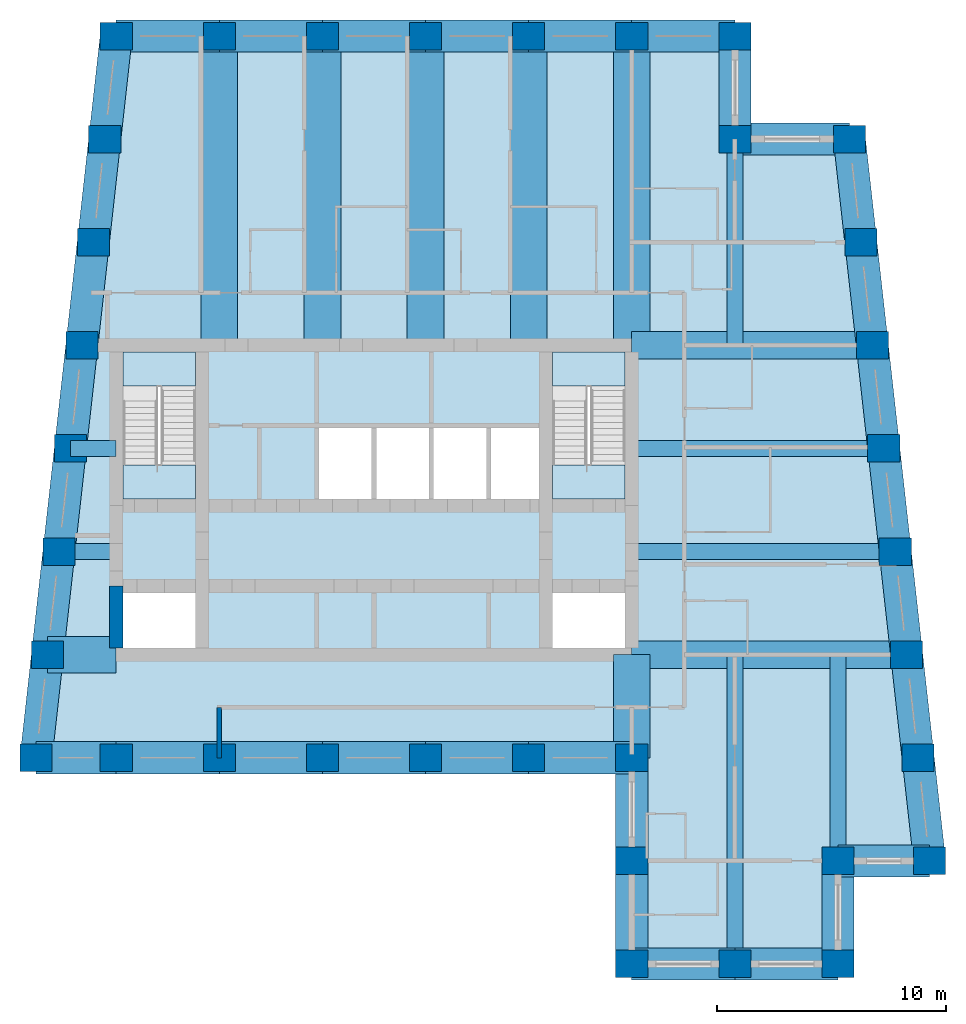
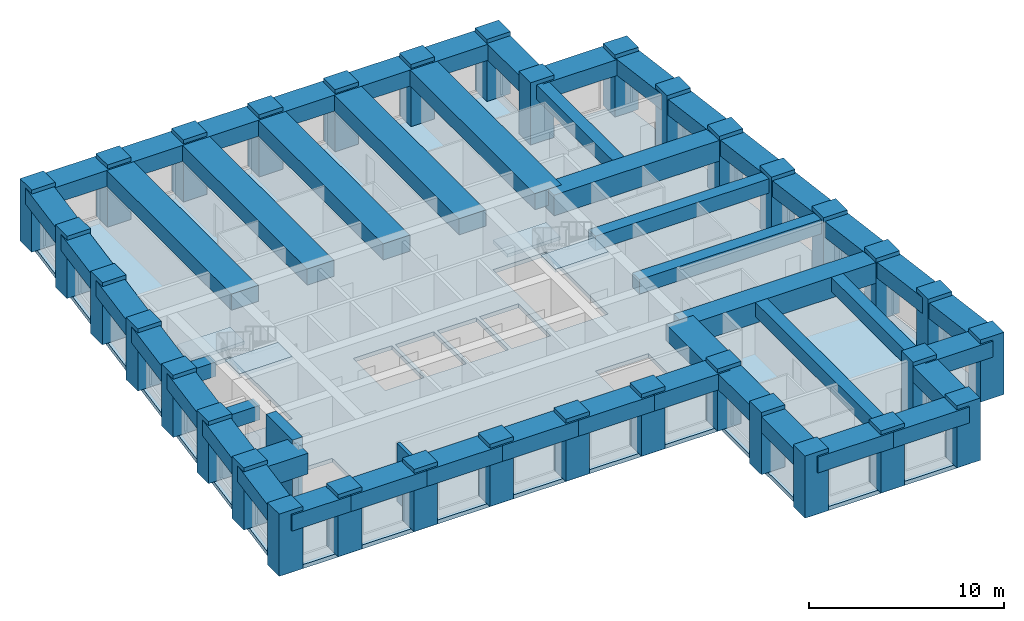
# One storey, part 1 of 7: 50 beams, 34 columns, 5 slabs, 2 walls, 2 elements without a shape of their own.
"""IFC4 building model written with IfcOpenShell, lengths in metres."""

from ifc_helpers import new_model, si_unit, direction, frame, frame_2d, origin, origin_2d, place, context, subcontext, project, spatial, polyline, rectangle, outline, extrude, material, layer, layer_set, material_profile, profile_set, type_object, element, aggregate, save


model = new_model("IFC4")

# Units and contexts
model_context = context("Model", 3, precision=1e-05, world=origin(), true_north=direction((0.0, 1.0)))
body_context = subcontext(model_context, "Body", "Model", "MODEL_VIEW")
ifc_project = project(units=[si_unit("LENGTHUNIT", "METRE"), si_unit("AREAUNIT", "SQUARE_METRE"), si_unit("VOLUMEUNIT", "CUBIC_METRE"), si_unit("PLANEANGLEUNIT", "RADIAN"), si_unit("MASSUNIT", "GRAM", prefix="KILO")], contexts=[model_context])

# Site, building, storey
site_placement = place(None, origin())
site = spatial("IfcSite", under=ifc_project, at=site_placement, CompositionType="ELEMENT")
building_placement = place(site_placement, origin())
building = spatial("IfcBuilding", under=site, at=building_placement, Name="Kilele Tower Hotel", CompositionType="ELEMENT")
storey_placement = place(building_placement, frame((0.0, 0.0, 270.199951171875)))
storey = spatial("IfcBuildingStorey", under=building, at=storey_placement, Name="L69", CompositionType="ELEMENT", Elevation=270.199951171875)

# Columns
ifc_material_1 = material(Name="Concrete C60/75", Category="concrete")
ifc_material_profile_1 = material_profile(ifc_material_1, rectangle(XDim=1.39990234375, YDim=1.199951171875, at=origin_2d()))
ifc_profile_set_1 = profile_set([ifc_material_profile_1], Name="Concrete C60/75")
column_type = type_object("IfcColumnType", Name="Tube column RC 1400x1200 C60/75", PredefinedType="COLUMN", material=ifc_profile_set_1)
for number, where, z_axis, x_axis, name in (
    (1, (10.0, 9.0, 0.0), (0.0, 0.0, 1.0), (1.0, 0.0, 0.0), "Column TC5 L69"),
    (2, (13.5, 9.0, 0.0), (0.0, 0.0, 1.0), (1.0, 0.0, 0.0), "Column TC5 L69"),
    (3, (18.0, 9.0, 0.0), (0.0, 0.0, 1.0), (1.0, 0.0, 0.0), "Column TC5 L69"),
    (4, (22.5, 9.0, 0.0), (0.0, 0.0, 1.0), (1.0, 0.0, 0.0), "Column TC5 L69"),
    (5, (27.0, 9.0, 0.0), (0.0, 0.0, 1.0), (1.0, 0.0, 0.0), "Column TC5 L69"),
    (6, (31.5, 9.0, 0.0), (0.0, 0.0, 1.0), (1.0, 0.0, 0.0), "Column TC5 L69"),
    (7, (36.0, 9.0, 0.0), (0.0, 0.0, 1.0), (1.0, 0.0, 0.0), "Column TC5 L69"),
    (8, (36.0, 4.5, 0.0), (0.0, 0.0, 1.0), (1.0, 0.0, 0.0), "Column TC5 L69"),
    (9, (36.0, 0.0, 0.0), (0.0, 0.0, 1.0), (1.0, 0.0, 0.0), "Column TC5 L69"),
    (10, (40.5, 0.0, 0.0), (0.0, 0.0, 1.0), (1.0, 0.0, 0.0), "Column TC5 L69"),
    (11, (45.0, 0.0, 0.0), (0.0, 0.0, 1.0), (1.0, 0.0, 0.0), "Column TC5 L69"),
    (12, (45.0, 4.5, 0.0), (0.0, 0.0, 1.0), (1.0, 0.0, 0.0), "Column TC5 L69"),
    (13, (49.0, 4.5, 0.0), (0.0, 0.0, 1.0), (1.0, 0.0, 0.0), "Column TC5 L69"),
    (14, (48.5, 9.0, 0.0), (0.0, 0.0, 1.0), (1.0, 0.0, 0.0), "Column TC5 L69"),
    (15, (48.0, 13.5, 0.0), (0.0, 0.0, 1.0), (1.0, 0.0, 0.0), "Column TC5 L69"),
    (16, (47.5, 18.0, 0.0), (0.0, 0.0, 1.0), (1.0, 0.0, 0.0), "Column TC5 L69"),
    (17, (47.0, 22.5, 0.0), (0.0, 0.0, 1.0), (1.0, 0.0, 0.0), "Column TC5 L69"),
    (18, (46.5, 27.0, 0.0), (0.0, 0.0, 1.0), (1.0, 0.0, 0.0), "Column TC5 L69"),
    (19, (46.0, 31.5, 0.0), (0.0, 0.0, 1.0), (1.0, 0.0, 0.0), "Column TC5 L69"),
    (20, (45.5, 36.0, 0.0), (0.0, 0.0, 1.0), (1.0, 0.0, 0.0), "Column TC5 L69"),
    (21, (40.5, 36.0, 0.0), (0.0, 0.0, 1.0), (1.0, 0.0, 0.0), "Column TC5 L69"),
    (22, (40.5, 40.5, 0.0), (0.0, 0.0, 1.0), (1.0, 0.0, 0.0), "Column TC5 L69"),
    (23, (36.0, 40.5, 0.0), (0.0, 0.0, 1.0), (1.0, 0.0, 0.0), "Column TC5 L69"),
    (24, (31.5, 40.5, 0.0), (0.0, 0.0, 1.0), (1.0, 0.0, 0.0), "Column TC5 L69"),
    (25, (27.0, 40.5, 0.0), (0.0, 0.0, 1.0), (1.0, 0.0, 0.0), "Column TC5 L69"),
    (26, (22.5, 40.5, 0.0), (0.0, 0.0, 1.0), (1.0, 0.0, 0.0), "Column TC5 L69"),
    (27, (18.0, 40.5, 0.0), (0.0, 0.0, 1.0), (1.0, 0.0, 0.0), "Column TC5 L69"),
    (28, (13.5, 40.5, 0.0), (0.0, 0.0, 1.0), (1.0, 0.0, 0.0), "Column TC5 L69"),
    (29, (13.0, 36.0, 0.0), (0.0, 0.0, 1.0), (1.0, 0.0, 0.0), "Column TC5 L69"),
    (30, (12.5, 31.5, 0.0), (0.0, 0.0, 1.0), (1.0, 0.0, 0.0), "Column TC5 L69"),
    (31, (12.0, 27.0, 0.0), (0.0, 0.0, 1.0), (1.0, 0.0, 0.0), "Column TC5 L69"),
    (32, (11.5, 22.5, 0.0), (0.0, 0.0, 1.0), (1.0, 0.0, 0.0), "Column TC5 L69"),
    (33, (11.0, 18.0, 0.0), (0.0, 0.0, 1.0), (1.0, 0.0, 0.0), "Column TC5 L69"),
    (34, (10.5, 13.5, 0.0), (0.0, 0.0, 1.0), (1.0, 0.0, 0.0), "Column TC5 L69"),
):
    element("IfcColumn", number, at=place(storey_placement, frame(where, z_axis=z_axis, x_axis=x_axis)), inside=storey, type_object=column_type, Name=name, PredefinedType="COLUMN", context=body_context, shape_type="SweptSolid", body=[
        extrude(rectangle(XDim=1.39990234375, YDim=1.199951171875, at=origin_2d()), origin(), (0.0, 0.0, 1.0), 3.900146484375),
    ])

# Beams
ifc_material_2 = material(Name="Concrete C60/75", Category="concrete")
ifc_material_profile_2 = material_profile(ifc_material_2, rectangle(XDim=1.60009765625, YDim=1.0, at=origin_2d()))
ifc_profile_set_2 = profile_set([ifc_material_profile_2], Name="Concrete C60/75")
beam_type_1 = type_object("IfcBeamType", Name="Beam RC 1600x1000 C60/75", PredefinedType="BEAM", material=ifc_profile_set_2)
for number, where, z_axis, x_axis, name in (
    (35, (36.0, 40.5, 3.150146484375), (0.0, -1.0, 0.0), (1.0, 0.0, 0.0), "Beam BC1 level L70"),
    (36, (31.5, 40.5, 3.150146484375), (0.0, -1.0, 0.0), (1.0, 0.0, 0.0), "Beam BC1 level L70"),
    (37, (27.0, 40.5, 3.150146484375), (0.0, -1.0, 0.0), (1.0, 0.0, 0.0), "Beam BC1 level L70"),
    (38, (22.5, 40.5, 3.150146484375), (0.0, -1.0, 0.0), (1.0, 0.0, 0.0), "Beam BC1 level L70"),
    (39, (18.0, 40.5, 3.150146484375), (0.0, -1.0, 0.0), (1.0, 0.0, 0.0), "Beam BC1 level L70"),
):
    element("IfcBeam", number, at=place(storey_placement, frame(where, z_axis=z_axis, x_axis=x_axis)), inside=storey, type_object=beam_type_1, Name=name, PredefinedType="BEAM", context=body_context, shape_type="SweptSolid", body=[
        extrude(rectangle(XDim=1.60009765625, YDim=1.0, at=origin_2d()), origin(), (0.0, 0.0, 1.0), 13.5),
    ])
ifc_material_3 = material(Name="Concrete C60/75", Category="concrete")
ifc_material_profile_3 = material_profile(ifc_material_3, rectangle(XDim=1.60009765625, YDim=1.0, at=origin_2d()))
ifc_profile_set_3 = profile_set([ifc_material_profile_3], Name="Concrete C60/75")
beam_type_2 = type_object("IfcBeamType", Name="Beam RC 1600x1000 C60/75 short span", PredefinedType="BEAM", material=ifc_profile_set_3)
beam_1_placement = place(storey_placement, frame((36.0, 9.0, 3.150146484375), z_axis=(0.0, 1.0, 0.0), x_axis=(-1.0, 0.0, 0.0)))
element("IfcBeam", 40, at=beam_1_placement, inside=storey, type_object=beam_type_2, Name="Beam BC2 level L70", PredefinedType="BEAM", context=body_context, shape_type="SweptSolid", body=[
    extrude(rectangle(XDim=1.60009765625, YDim=1.0, at=origin_2d()), origin(), (0.0, 0.0, 1.0), 4.5),
])
ifc_material_4 = material(Name="Concrete C60/75", Category="concrete")
ifc_material_profile_4 = material_profile(ifc_material_4, rectangle(XDim=0.699951171875, YDim=0.89990234375, at=origin_2d()))
ifc_profile_set_4 = profile_set([ifc_material_profile_4], Name="Concrete C60/75")
beam_type_3 = type_object("IfcBeamType", Name="Beam RC 700x900 C60/75", PredefinedType="BEAM", material=ifc_profile_set_4)
beam_2_placement = place(storey_placement, frame((40.5, 0.0, 3.199951171875), z_axis=(0.0, 1.0, 0.0), x_axis=(-1.0, 0.0, 0.0)))
element("IfcBeam", 41, at=beam_2_placement, inside=storey, type_object=beam_type_3, Name="Beam B1 level L70", PredefinedType="BEAM", context=body_context, shape_type="SweptSolid", body=[
    extrude(rectangle(XDim=0.699951171875, YDim=0.89990234375, at=origin_2d()), origin(), (0.0, 0.0, 1.0), 13.5),
])
ifc_material_5 = material(Name="Concrete C60/75", Category="concrete")
ifc_material_profile_5 = material_profile(ifc_material_5, rectangle(XDim=0.699951171875, YDim=0.89990234375, at=origin_2d()))
ifc_profile_set_5 = profile_set([ifc_material_profile_5], Name="Concrete C60/75")
beam_type_4 = type_object("IfcBeamType", Name="Beam RC 700x900 C60/75 mid span", PredefinedType="BEAM", material=ifc_profile_set_5)
beam_3_placement = place(storey_placement, frame((45.0, 4.5, 3.199951171875), z_axis=(0.0, 1.0, 0.0), x_axis=(-1.0, 0.0, 0.0)))
element("IfcBeam", 42, at=beam_3_placement, inside=storey, type_object=beam_type_4, Name="Beam B2 level L70", PredefinedType="BEAM", context=body_context, shape_type="SweptSolid", body=[
    extrude(rectangle(XDim=0.699951171875, YDim=0.89990234375, at=origin_2d()), origin(), (0.0, 0.0, 1.0), 9.0),
])
beam_4_placement = place(storey_placement, frame((47.5, 18.0, 3.199951171875), z_axis=(-1.0, 0.0, 0.0), x_axis=(0.0, -1.0, 0.0)))
element("IfcBeam", 43, at=beam_4_placement, inside=storey, type_object=beam_type_4, Name="Beam B2 level L70", PredefinedType="BEAM", context=body_context, shape_type="SweptSolid", body=[
    extrude(rectangle(XDim=0.699951171875, YDim=0.89990234375, at=origin_2d()), origin(), (0.0, 0.0, 1.0), 11.5),
])
beam_5_placement = place(storey_placement, frame((47.0, 22.5, 3.199951171875), z_axis=(-1.0, 0.0, 0.0), x_axis=(0.0, -1.0, 0.0)))
element("IfcBeam", 44, at=beam_5_placement, inside=storey, type_object=beam_type_4, Name="Beam B2 level L70", PredefinedType="BEAM", context=body_context, shape_type="SweptSolid", body=[
    extrude(rectangle(XDim=0.699951171875, YDim=0.89990234375, at=origin_2d()), origin(), (0.0, 0.0, 1.0), 11.0),
])
beam_6_placement = place(storey_placement, frame((40.5, 36.0, 3.199951171875), z_axis=(0.0, -1.0, 0.0), x_axis=(1.0, 0.0, 0.0)))
element("IfcBeam", 45, at=beam_6_placement, inside=storey, type_object=beam_type_4, Name="Beam B2 level L70", PredefinedType="BEAM", context=body_context, shape_type="SweptSolid", body=[
    extrude(rectangle(XDim=0.699951171875, YDim=0.89990234375, at=origin_2d()), origin(), (0.0, 0.0, 1.0), 9.0),
])
ifc_material_6 = material(Name="Concrete C60/75", Category="concrete")
ifc_material_profile_6 = material_profile(ifc_material_6, rectangle(XDim=0.699951171875, YDim=0.89990234375, at=origin_2d()))
ifc_profile_set_6 = profile_set([ifc_material_profile_6], Name="Concrete C60/75")
beam_type_5 = type_object("IfcBeamType", Name="Beam RC 700x900 C60/75 short span", PredefinedType="BEAM", material=ifc_profile_set_6)
beam_7_placement = place(storey_placement, frame((11.5, 22.5, 3.199951171875), z_axis=(1.0, 0.0, 0.0), x_axis=(0.0, 1.0, 0.0)))
element("IfcBeam", 46, at=beam_7_placement, inside=storey, type_object=beam_type_5, Name="Beam B3 level L70", PredefinedType="BEAM", context=body_context, shape_type="SweptSolid", body=[
    extrude(rectangle(XDim=0.699951171875, YDim=0.89990234375, at=origin_2d()), origin(), (0.0, 0.0, 1.0), 2.0),
])
beam_8_placement = place(storey_placement, frame((11.0, 18.0, 3.199951171875), z_axis=(1.0, 0.0, 0.0), x_axis=(0.0, 1.0, 0.0)))
element("IfcBeam", 47, at=beam_8_placement, inside=storey, type_object=beam_type_5, Name="Beam B3 level L70", PredefinedType="BEAM", context=body_context, shape_type="SweptSolid", body=[
    extrude(rectangle(XDim=0.699951171875, YDim=0.89990234375, at=origin_2d()), origin(), (0.0, 0.0, 1.0), 2.5),
])
ifc_material_7 = material(Name="Concrete C60/75", Category="concrete")
ifc_material_profile_7 = material_profile(ifc_material_7, rectangle(XDim=1.60009765625, YDim=1.300048828125, at=origin_2d()))
ifc_profile_set_7 = profile_set([ifc_material_profile_7], Name="Concrete C60/75")
beam_type_6 = type_object("IfcBeamType", Name="Coupling girder RC 1600x1300 C60/75", PredefinedType="BEAM", material=ifc_profile_set_7)
beam_9_placement = place(storey_placement, frame((10.5, 13.5, 3.0), z_axis=(1.0, 0.0, 0.0), x_axis=(0.0, 1.0, 0.0)))
element("IfcBeam", 48, at=beam_9_placement, inside=storey, type_object=beam_type_6, Name="Coupling girder G2 level L70", PredefinedType="BEAM", context=body_context, shape_type="SweptSolid", body=[
    extrude(rectangle(XDim=1.60009765625, YDim=1.300048828125, at=origin_2d()), origin(), (0.0, 0.0, 1.0), 3.0),
])
ifc_material_8 = material(Name="Concrete C60/75", Category="concrete")
ifc_material_profile_8 = material_profile(ifc_material_8, rectangle(XDim=1.199951171875, YDim=1.300048828125, at=origin_2d()))
ifc_profile_set_8 = profile_set([ifc_material_profile_8], Name="Concrete C60/75")
beam_type_7 = type_object("IfcBeamType", Name="Girder RC 1200x1300 C60/75", PredefinedType="BEAM", material=ifc_profile_set_8)
beam_10_placement = place(storey_placement, frame((48.0, 13.5, 3.0), z_axis=(-1.0, 0.0, 0.0), x_axis=(0.0, -1.0, 0.0)))
element("IfcBeam", 49, at=beam_10_placement, inside=storey, type_object=beam_type_7, Name="Girder G1 level L70", PredefinedType="BEAM", context=body_context, shape_type="SweptSolid", body=[
    extrude(rectangle(XDim=1.199951171875, YDim=1.300048828125, at=origin_2d()), origin(), (0.0, 0.0, 1.0), 12.0),
])
ifc_material_9 = material(Name="Concrete C60/75", Category="concrete")
ifc_material_profile_9 = material_profile(ifc_material_9, rectangle(XDim=1.199951171875, YDim=1.300048828125, at=origin_2d()))
ifc_profile_set_9 = profile_set([ifc_material_profile_9], Name="Concrete C60/75")
beam_type_8 = type_object("IfcBeamType", Name="Girder RC 1200x1300 C60/75 mid span", PredefinedType="BEAM", material=ifc_profile_set_9)
beam_11_placement = place(storey_placement, frame((46.5, 27.0, 3.0), z_axis=(-1.0, 0.0, 0.0), x_axis=(0.0, -1.0, 0.0)))
element("IfcBeam", 50, at=beam_11_placement, inside=storey, type_object=beam_type_8, Name="Girder G3 level L70", PredefinedType="BEAM", context=body_context, shape_type="SweptSolid", body=[
    extrude(rectangle(XDim=1.199951171875, YDim=1.300048828125, at=origin_2d()), origin(), (0.0, 0.0, 1.0), 10.5),
])
ifc_material_10 = material(Name="Concrete C60/75", Category="concrete")
ifc_material_profile_10 = material_profile(ifc_material_10, rectangle(XDim=1.39990234375, YDim=1.0, at=origin_2d()))
ifc_profile_set_10 = profile_set([ifc_material_profile_10], Name="Concrete C60/75")
beam_type_9 = type_object("IfcBeamType", Name="Spandrel RC 1400x1000 C60/75", PredefinedType="SPANDREL", material=ifc_profile_set_10)
beam_12_placement = place(storey_placement, frame((10.0, 9.0, 3.150146484375), z_axis=(1.0, 0.0, 0.0), x_axis=(0.0, 1.0, 0.0)))
element("IfcBeam", 51, at=beam_12_placement, inside=storey, type_object=beam_type_9, Name="Spandrel SP1 level L70", PredefinedType="SPANDREL", context=body_context, shape_type="SweptSolid", body=[
    extrude(rectangle(XDim=1.39990234375, YDim=1.0, at=origin_2d()), origin(), (0.0, 0.0, 1.0), 3.5),
])
for number, where, z_axis, x_axis, name in (
    (52, (13.5, 9.0, 3.150146484375), (1.0, 0.0, 0.0), (0.0, 1.0, 0.0), "Spandrel SP1 level L70"),
    (53, (18.0, 9.0, 3.150146484375), (1.0, 0.0, 0.0), (0.0, 1.0, 0.0), "Spandrel SP1 level L70"),
    (54, (22.5, 9.0, 3.150146484375), (1.0, 0.0, 0.0), (0.0, 1.0, 0.0), "Spandrel SP1 level L70"),
    (55, (27.0, 9.0, 3.150146484375), (1.0, 0.0, 0.0), (0.0, 1.0, 0.0), "Spandrel SP1 level L70"),
    (56, (31.5, 9.0, 3.150146484375), (1.0, 0.0, 0.0), (0.0, 1.0, 0.0), "Spandrel SP1 level L70"),
    (57, (36.0, 9.0, 3.150146484375), (0.0, -1.0, 0.0), (1.0, 0.0, 0.0), "Spandrel SP1 level L70"),
    (58, (36.0, 4.5, 3.150146484375), (0.0, -1.0, 0.0), (1.0, 0.0, 0.0), "Spandrel SP1 level L70"),
    (59, (36.0, 0.0, 3.150146484375), (1.0, 0.0, 0.0), (0.0, 1.0, 0.0), "Spandrel SP1 level L70"),
    (60, (40.5, 0.0, 3.150146484375), (1.0, 0.0, 0.0), (0.0, 1.0, 0.0), "Spandrel SP1 level L70"),
    (61, (45.0, 0.0, 3.150146484375), (0.0, 1.0, 0.0), (-1.0, 0.0, 0.0), "Spandrel SP1 level L70"),
):
    element("IfcBeam", number, at=place(storey_placement, frame(where, z_axis=z_axis, x_axis=x_axis)), inside=storey, type_object=beam_type_9, Name=name, PredefinedType="SPANDREL", context=body_context, shape_type="SweptSolid", body=[
        extrude(rectangle(XDim=1.39990234375, YDim=1.0, at=origin_2d()), origin(), (0.0, 0.0, 1.0), 4.5),
    ])
beam_13_placement = place(storey_placement, frame((45.0, 4.5, 3.150146484375), z_axis=(1.0, 0.0, 0.0), x_axis=(0.0, 1.0, 0.0)))
element("IfcBeam", 62, at=beam_13_placement, inside=storey, type_object=beam_type_9, Name="Spandrel SP1 level L70", PredefinedType="SPANDREL", context=body_context, shape_type="SweptSolid", body=[
    extrude(rectangle(XDim=1.39990234375, YDim=1.0, at=origin_2d()), origin(), (0.0, 0.0, 1.0), 4.0),
])
for number, where, z_axis, x_axis, name in (
    (63, (49.0, 4.5, 3.150146484375), (-0.110431526075, 0.993883734674, 0.0), (-0.993883734674, -0.110431526075, 0.0), "Spandrel SP1 level L70"),
    (64, (48.5, 9.0, 3.150146484375), (-0.110431526075, 0.993883734674, 0.0), (-0.993883734674, -0.110431526075, 0.0), "Spandrel SP1 level L70"),
    (65, (48.0, 13.5, 3.150146484375), (-0.110431526075, 0.993883734674, 0.0), (-0.993883734674, -0.110431526075, 0.0), "Spandrel SP1 level L70"),
    (66, (47.5, 18.0, 3.150146484375), (-0.110431526075, 0.993883734674, 0.0), (-0.993883734674, -0.110431526075, 0.0), "Spandrel SP1 level L70"),
    (67, (47.0, 22.5, 3.150146484375), (-0.110431526075, 0.993883734674, 0.0), (-0.993883734674, -0.110431526075, 0.0), "Spandrel SP1 level L70"),
    (68, (46.5, 27.0, 3.150146484375), (-0.110431526075, 0.993883734674, 0.0), (-0.993883734674, -0.110431526075, 0.0), "Spandrel SP1 level L70"),
    (69, (46.0, 31.5, 3.150146484375), (-0.110431526075, 0.993883734674, 0.0), (-0.993883734674, -0.110431526075, 0.0), "Spandrel SP1 level L70"),
):
    element("IfcBeam", number, at=place(storey_placement, frame(where, z_axis=z_axis, x_axis=x_axis)), inside=storey, type_object=beam_type_9, Name=name, PredefinedType="SPANDREL", context=body_context, shape_type="SweptSolid", body=[
        extrude(rectangle(XDim=1.39990234375, YDim=1.0, at=origin_2d()), origin(), (0.0, 0.0, 1.0), 4.527587890625),
    ])
beam_14_placement = place(storey_placement, frame((45.5, 36.0, 3.150146484375), z_axis=(-1.0, 0.0, 0.0), x_axis=(0.0, -1.0, 0.0)))
element("IfcBeam", 70, at=beam_14_placement, inside=storey, type_object=beam_type_9, Name="Spandrel SP1 level L70", PredefinedType="SPANDREL", context=body_context, shape_type="SweptSolid", body=[
    extrude(rectangle(XDim=1.39990234375, YDim=1.0, at=origin_2d()), origin(), (0.0, 0.0, 1.0), 5.0),
])
for number, where, z_axis, x_axis, name in (
    (71, (40.5, 36.0, 3.150146484375), (0.0, 1.0, 0.0), (-1.0, 0.0, 0.0), "Spandrel SP1 level L70"),
    (72, (40.5, 40.5, 3.150146484375), (-1.0, 0.0, 0.0), (0.0, -1.0, 0.0), "Spandrel SP1 level L70"),
    (73, (36.0, 40.5, 3.150146484375), (-1.0, 0.0, 0.0), (0.0, -1.0, 0.0), "Spandrel SP1 level L70"),
    (74, (31.5, 40.5, 3.150146484375), (-1.0, 0.0, 0.0), (0.0, -1.0, 0.0), "Spandrel SP1 level L70"),
    (75, (27.0, 40.5, 3.150146484375), (-1.0, 0.0, 0.0), (0.0, -1.0, 0.0), "Spandrel SP1 level L70"),
    (76, (22.5, 40.5, 3.150146484375), (-1.0, 0.0, 0.0), (0.0, -1.0, 0.0), "Spandrel SP1 level L70"),
    (77, (18.0, 40.5, 3.150146484375), (-1.0, 0.0, 0.0), (0.0, -1.0, 0.0), "Spandrel SP1 level L70"),
):
    element("IfcBeam", number, at=place(storey_placement, frame(where, z_axis=z_axis, x_axis=x_axis)), inside=storey, type_object=beam_type_9, Name=name, PredefinedType="SPANDREL", context=body_context, shape_type="SweptSolid", body=[
        extrude(rectangle(XDim=1.39990234375, YDim=1.0, at=origin_2d()), origin(), (0.0, 0.0, 1.0), 4.5),
    ])
for number, where, z_axis, x_axis, name in (
    (78, (13.5, 40.5, 3.150146484375), (-0.110431526075, -0.993883734674, 0.0), (0.993883734674, -0.110431526075, 0.0), "Spandrel SP1 level L70"),
    (79, (13.0, 36.0, 3.150146484375), (-0.110431526075, -0.993883734674, 0.0), (0.993883734674, -0.110431526075, 0.0), "Spandrel SP1 level L70"),
    (80, (12.5, 31.5, 3.150146484375), (-0.110431526075, -0.993883734674, 0.0), (0.993883734674, -0.110431526075, 0.0), "Spandrel SP1 level L70"),
    (81, (12.0, 27.0, 3.150146484375), (-0.110431526075, -0.993883734674, 0.0), (0.993883734674, -0.110431526075, 0.0), "Spandrel SP1 level L70"),
    (82, (11.5, 22.5, 3.150146484375), (-0.110431526075, -0.993883734674, 0.0), (0.993883734674, -0.110431526075, 0.0), "Spandrel SP1 level L70"),
    (83, (11.0, 18.0, 3.150146484375), (-0.110431526075, -0.993883734674, 0.0), (0.993883734674, -0.110431526075, 0.0), "Spandrel SP1 level L70"),
    (84, (10.5, 13.5, 3.150146484375), (-0.110431526075, -0.993883734674, 0.0), (0.993883734674, -0.110431526075, 0.0), "Spandrel SP1 level L70"),
):
    element("IfcBeam", number, at=place(storey_placement, frame(where, z_axis=z_axis, x_axis=x_axis)), inside=storey, type_object=beam_type_9, Name=name, PredefinedType="SPANDREL", context=body_context, shape_type="SweptSolid", body=[
        extrude(rectangle(XDim=1.39990234375, YDim=1.0, at=origin_2d()), origin(), (0.0, 0.0, 1.0), 4.527587890625),
    ])

# Slab
ifc_material_11 = material(Name="Concrete C60/75", Category="concrete")
ifc_layer_1 = layer(ifc_material_11, 0.25)
ifc_layer_set_1 = layer_set([ifc_layer_1], Name="Concrete C60/75")
slab_type_1 = type_object("IfcSlabType", Name="Floor slab 250", PredefinedType="FLOOR", material=ifc_layer_set_1)
slab_1_placement = place(storey_placement, frame((0.0, 0.0, -0.25)))
element("IfcSlab", 85, at=slab_1_placement, inside=storey, type_object=slab_type_1, Name="Floor slab L69", PredefinedType="FLOOR", context=body_context, shape_type="SweptSolid", body=[
    extrude(outline(polyline([(40.800048828125, 40.800048828125), (40.800048828125, 36.300048828125), (45.7685546875, 36.300048828125), (49.335205078125, 4.199951171875), (45.300048828125, 4.199951171875), (45.300048828125, -0.300048828125), (35.699951171875, -0.300048828125), (35.699951171875, 8.699951171875), (9.664794921875, 8.699951171875), (13.2314453125, 40.800048828125), (40.800048828125, 40.800048828125)]), holes=[polyline([(16.949951171875, 16.199951171875), (13.800048828125, 16.199951171875), (13.800048828125, 13.800048828125), (16.949951171875, 13.800048828125), (16.949951171875, 16.199951171875)]), polyline([(35.699951171875, 16.199951171875), (32.550048828125, 16.199951171875), (32.550048828125, 13.800048828125), (35.699951171875, 13.800048828125), (35.699951171875, 16.199951171875)]), polyline([(24.64990234375, 23.39990234375), (22.35009765625, 23.39990234375), (22.35009765625, 20.10009765625), (24.64990234375, 20.10009765625), (24.64990234375, 23.39990234375)]), polyline([(27.14990234375, 23.39990234375), (24.85009765625, 23.39990234375), (24.85009765625, 20.10009765625), (27.14990234375, 20.10009765625), (27.14990234375, 23.39990234375)]), polyline([(29.64990234375, 23.39990234375), (27.35009765625, 23.39990234375), (27.35009765625, 20.10009765625), (29.64990234375, 20.10009765625), (29.64990234375, 23.39990234375)]), polyline([(32.14990234375, 23.39990234375), (29.85009765625, 23.39990234375), (29.85009765625, 20.10009765625), (32.14990234375, 20.10009765625), (32.14990234375, 23.39990234375)]), polyline([(16.949951171875, 26.699951171875), (13.800048828125, 26.699951171875), (13.800048828125, 20.300048828125), (16.949951171875, 20.300048828125), (16.949951171875, 26.699951171875)]), polyline([(35.699951171875, 26.699951171875), (32.550048828125, 26.699951171875), (32.550048828125, 20.300048828125), (35.699951171875, 20.300048828125), (35.699951171875, 26.699951171875)])]), origin(), (0.0, 0.0, 1.0), 0.25),
])

# Stair, slabs
ifc_material_12 = material(Name="Precast concrete C40/50", Category="concrete")
stair_type = type_object("IfcStairType", Name="Stair 1475 x 3900", PredefinedType="HALF_TURN_STAIR", material=ifc_material_12)
stair_1_placement = place(storey_placement, origin())
stair_1 = element("IfcStair", 86, at=stair_1_placement, inside=storey, type_object=stair_type, Name="Stair 1 L69", PredefinedType="HALF_TURN_STAIR")
ifc_material_13 = material(Name="Precast concrete C40/50", Category="concrete")
ifc_layer_2 = layer(ifc_material_13, 0.199951171875)
ifc_layer_set_2 = layer_set([ifc_layer_2], Name="Precast concrete C40/50")
slab_type_2 = type_object("IfcSlabType", Name="Stair landing 200", PredefinedType="LANDING", material=ifc_layer_set_2)
slab_2_placement = place(storey_placement, frame((0.0, 0.0, 1.665283203125)))
slab_2 = element("IfcSlab", 87, at=slab_2_placement, type_object=slab_type_2, Name="ST1 landing 1", PredefinedType="LANDING", context=body_context, shape_type="SweptSolid", body=[
    extrude(outline(polyline([(13.800048828125, 25.22509765625), (16.949951171875, 25.22509765625), (16.949951171875, 26.699951171875), (13.800048828125, 26.699951171875), (13.800048828125, 25.22509765625)])), origin(), (0.0, 0.0, 1.0), 0.199951171875),
])
slab_3_placement = place(storey_placement, frame((0.0, 0.0, 3.699951171875)))
slab_3 = element("IfcSlab", 88, at=slab_3_placement, type_object=slab_type_2, Name="ST1 landing 2", PredefinedType="LANDING", context=body_context, shape_type="SweptSolid", body=[
    extrude(outline(polyline([(13.800048828125, 20.300048828125), (16.949951171875, 20.300048828125), (16.949951171875, 21.77490234375), (13.800048828125, 21.77490234375), (13.800048828125, 20.300048828125)])), origin(), (0.0, 0.0, 1.0), 0.2001953125),
])
aggregate(stair_1, [slab_2, slab_3])

stair_2_placement = place(storey_placement, origin())
stair_2 = element("IfcStair", 89, at=stair_2_placement, inside=storey, type_object=stair_type, Name="Stair 2 L69", PredefinedType="HALF_TURN_STAIR")
slab_4_placement = place(storey_placement, frame((0.0, 0.0, 1.665283203125)))
slab_4 = element("IfcSlab", 90, at=slab_4_placement, type_object=slab_type_2, Name="ST2 landing 1", PredefinedType="LANDING", context=body_context, shape_type="SweptSolid", body=[
    extrude(outline(polyline([(32.550048828125, 25.22509765625), (35.699951171875, 25.22509765625), (35.699951171875, 26.699951171875), (32.550048828125, 26.699951171875), (32.550048828125, 25.22509765625)])), origin(), (0.0, 0.0, 1.0), 0.199951171875),
])
slab_5_placement = place(storey_placement, frame((0.0, 0.0, 3.699951171875)))
slab_5 = element("IfcSlab", 91, at=slab_5_placement, type_object=slab_type_2, Name="ST2 landing 2", PredefinedType="LANDING", context=body_context, shape_type="SweptSolid", body=[
    extrude(outline(polyline([(32.550048828125, 20.300048828125), (35.699951171875, 20.300048828125), (35.699951171875, 21.77490234375), (32.550048828125, 21.77490234375), (32.550048828125, 20.300048828125)])), origin(), (0.0, 0.0, 1.0), 0.2001953125),
])
aggregate(stair_2, [slab_4, slab_5])

# Walls
ifc_material_14 = material(Name="Concrete C60/75", Category="concrete")
ifc_layer_3 = layer(ifc_material_14, 0.60009765625)
ifc_layer_set_3 = layer_set([ifc_layer_3], Name="Concrete C60/75")
wall_type_1 = type_object("IfcWallType", Name="Core wall 600 C60/75", PredefinedType="SHEAR", material=ifc_layer_set_3)
wall_1_placement = place(storey_placement, frame((13.5, 16.5, 0.0), z_axis=(0.0, 0.0, 1.0), x_axis=(0.0, -1.0, 0.0)))
element("IfcWall", 92, at=wall_1_placement, inside=storey, type_object=wall_type_1, Name="Core wall W3 L69", PredefinedType="SHEAR", context=body_context, shape_type="SweptSolid", body=[
    extrude(rectangle(XDim=2.699951171875, YDim=0.60009765625, at=frame_2d((1.35009765625, 0.0))), origin(), (0.0, 0.0, 1.0), 3.900146484375),
])
ifc_material_15 = material(Name="Blockwork, plastered both sides", Category="masonry")
ifc_layer_4 = layer(ifc_material_15, 0.199951171875)
ifc_layer_set_4 = layer_set([ifc_layer_4], Name="Blockwork, plastered both sides")
wall_type_2 = type_object("IfcWallType", Name="Party wall 200", PredefinedType="PARTITIONING", material=ifc_layer_set_4)
wall_2_placement = place(storey_placement, frame((18.0, 11.199951171875, 0.0), z_axis=(0.0, 0.0, 1.0), x_axis=(0.0, -1.0, 0.0)))
element("IfcWall", 93, at=wall_2_placement, inside=storey, type_object=wall_type_2, Name="Party wall 200 L69", PredefinedType="PARTITIONING", context=body_context, shape_type="SweptSolid", body=[
    extrude(rectangle(XDim=2.199951171875, YDim=0.199951171875, at=frame_2d((1.10009765625, 0.0))), origin(), (0.0, 0.0, 1.0), 3.650146484375),
])

save(model, "model.ifc")
